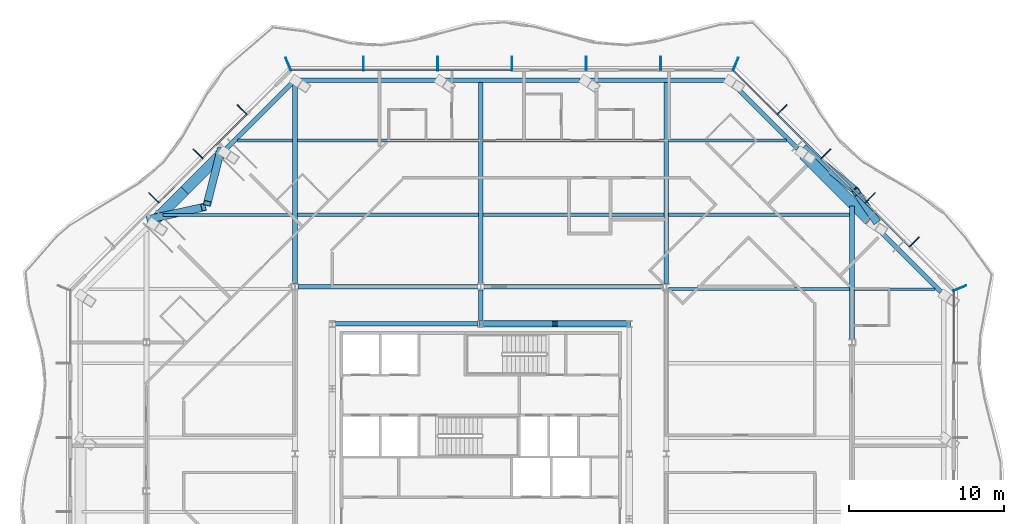
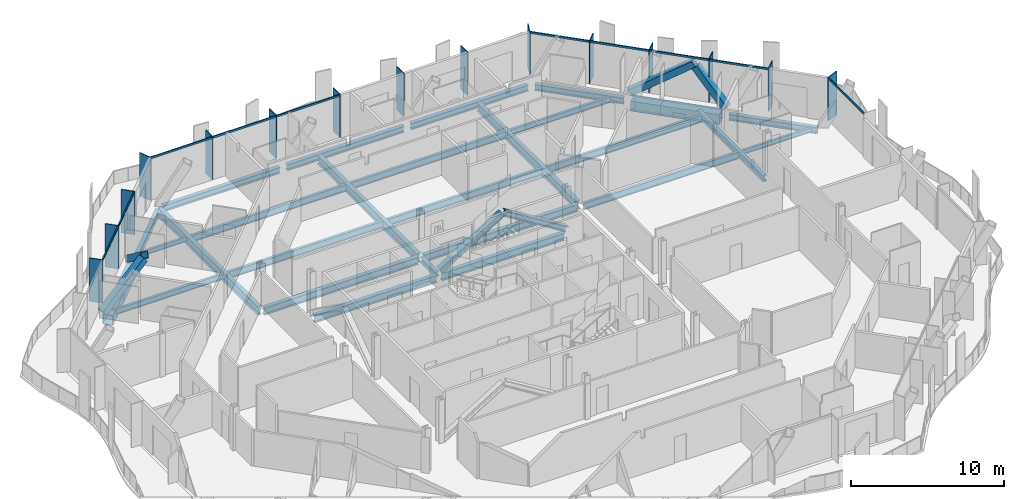
# One storey, part 5 of 21: 31 members, 29 beams, 4 elements without a shape of their own.
"""IFC4 building model written with IfcOpenShell, lengths in metres."""

from ifc_helpers import new_model, si_unit, direction, frame, origin, origin_2d, place, context, subcontext, project, spatial, rectangle, hollow_rectangle, i_section, extrude, material, material_profile, profile_set, type_object, element, aggregate, save


model = new_model("IFC4")

# Units and contexts
model_context = context("Model", 3, precision=1e-05, world=origin(), true_north=direction((0.0, 1.0)))
body_context = subcontext(model_context, "Body", "Model", "MODEL_VIEW")
ifc_project = project(units=[si_unit("LENGTHUNIT", "METRE"), si_unit("AREAUNIT", "SQUARE_METRE"), si_unit("VOLUMEUNIT", "CUBIC_METRE"), si_unit("PLANEANGLEUNIT", "RADIAN"), si_unit("MASSUNIT", "GRAM", prefix="KILO")], contexts=[model_context])

# Site, building, storey
site_placement = place(None, origin())
site = spatial("IfcSite", under=ifc_project, at=site_placement, CompositionType="ELEMENT")
building_placement = place(site_placement, origin())
building = spatial("IfcBuilding", under=site, at=building_placement, Name="Cairn Pilgrim Tower", CompositionType="ELEMENT")
storey_placement = place(building_placement, frame((0.0, 0.0, 183.0)))
storey = spatial("IfcBuildingStorey", under=building, at=storey_placement, Name="L46", CompositionType="ELEMENT", Elevation=183.0)

# Members
ifc_material_1 = material(Name="Structural steel S460M", Category="steel")
ifc_material_profile_1 = material_profile(ifc_material_1, hollow_rectangle(XDim=0.5, YDim=0.5, WallThickness=0.030029296875, at=origin_2d()), Name="BOX 500x500x30")
ifc_profile_set_1 = profile_set([ifc_material_profile_1], Name="Structural steel S460M")
member_type_1 = type_object("IfcMemberType", Name="BOX 500x500x30 BRACE", PredefinedType="BRACE", material=ifc_profile_set_1)
member_1_placement = place(storey_placement, frame((32.720947265625, 17.5087890625, 0.065185546875), z_axis=(-0.36251344112, 0.524386500655, 0.770456230385), x_axis=(-0.822576221586, -0.568654868687, 0.0)))
element("IfcMember", 1, at=member_1_placement, inside=storey, type_object=member_type_1, Name="XB-NE2-NE3-1", PredefinedType="BRACE", context=body_context, shape_type="SweptSolid", body=[
    extrude(hollow_rectangle(XDim=0.5, YDim=0.5, WallThickness=0.030029296875, at=origin_2d()), origin(), (0.0, 0.0, 1.0), 3.44482421875),
])
member_2_placement = place(storey_placement, frame((28.1416015625, 22.10595703125, 0.14990234375), z_axis=(0.645747598512, -0.530361724878, 0.549296349706), x_axis=(0.634686685606, 0.772769571809, 0.0)))
element("IfcMember", 2, at=member_2_placement, inside=storey, type_object=member_type_1, Name="XB-NE2-NE3-2", PredefinedType="BRACE", context=body_context, shape_type="SweptSolid", body=[
    extrude(hollow_rectangle(XDim=0.5, YDim=0.5, WallThickness=0.030029296875, at=origin_2d()), origin(), (0.0, 0.0, 1.0), 5.080078125),
])
member_3_placement = place(storey_placement, frame((-9.599853515625, 22.043701171875, 0.091552734375), z_axis=(-0.195352480849, -0.776251739915, 0.599391895595), x_axis=(0.969762252996, -0.244051577878, 0.0)))
element("IfcMember", 3, at=member_3_placement, inside=storey, type_object=member_type_1, Name="XB-NW2-NW3-1", PredefinedType="BRACE", context=body_context, shape_type="SweptSolid", body=[
    extrude(hollow_rectangle(XDim=0.5, YDim=0.5, WallThickness=0.030029296875, at=origin_2d()), origin(), (0.0, 0.0, 1.0), 4.448974609375),
])
member_4_placement = place(storey_placement, frame((-14.23095703125, 17.566650390625, 0.14990234375), z_axis=(0.790745265528, 0.174830423265, 0.586648317262), x_axis=(-0.215882190598, 0.976419417967, 0.0)))
element("IfcMember", 4, at=member_4_placement, inside=storey, type_object=member_type_1, Name="XB-NW2-NW3-2", PredefinedType="BRACE", context=body_context, shape_type="SweptSolid", body=[
    extrude(hollow_rectangle(XDim=0.5, YDim=0.5, WallThickness=0.030029296875, at=origin_2d()), origin(), (0.0, 0.0, 1.0), 4.4462890625),
])

# Beams
ifc_material_2 = material(Name="Structural steel S355J2", Category="steel")
ifc_material_profile_2 = material_profile(ifc_material_2, hollow_rectangle(XDim=0.699951171875, YDim=0.800048828125, WallThickness=0.0400390625, at=origin_2d()), Name="BOX 700x800x40")
ifc_profile_set_2 = profile_set([ifc_material_profile_2], Name="Structural steel S355J2")
beam_type_1 = type_object("IfcBeamType", Name="BOX 700x800x40 RING GIRDER", PredefinedType="SPANDREL", material=ifc_profile_set_2)
beam_1_placement = place(storey_placement, frame((32.309814453125, 17.492431640625, -0.550048828125), z_axis=(-0.707106781187, 0.707106781187, 0.0), x_axis=(-0.707106781187, -0.707106781187, 0.0)))
element("IfcBeam", 5, at=beam_1_placement, inside=storey, type_object=beam_type_1, Name="RG2-NE2-NE3-1", PredefinedType="SPANDREL", context=body_context, shape_type="SweptSolid", body=[
    extrude(hollow_rectangle(XDim=0.699951171875, YDim=0.800048828125, WallThickness=0.0400390625, at=origin_2d()), origin(), (0.0, 0.0, 1.0), 3.98046875),
])
beam_2_placement = place(storey_placement, frame((29.4951171875, 20.30712890625, -0.550048828125), z_axis=(-0.707106781187, 0.707106781187, 0.0), x_axis=(-0.707106781187, -0.707106781187, 0.0)))
element("IfcBeam", 6, at=beam_2_placement, inside=storey, type_object=beam_type_1, Name="RG2-NE2-NE3-2", PredefinedType="SPANDREL", context=body_context, shape_type="SweptSolid", body=[
    extrude(hollow_rectangle(XDim=0.699951171875, YDim=0.800048828125, WallThickness=0.0400390625, at=origin_2d()), origin(), (0.0, 0.0, 1.0), 2.01904296875),
])
beam_3_placement = place(storey_placement, frame((-9.617431640625, 21.73486328125, -0.550048828125), z_axis=(-0.707069392857, -0.707144167539, 0.0), x_axis=(0.707144167539, -0.707069392857, 0.0)))
element("IfcBeam", 7, at=beam_3_placement, inside=storey, type_object=beam_type_1, Name="RG2-NW2-NW3-1", PredefinedType="SPANDREL", context=body_context, shape_type="SweptSolid", body=[
    extrude(hollow_rectangle(XDim=0.699951171875, YDim=0.800048828125, WallThickness=0.0400390625, at=origin_2d()), origin(), (0.0, 0.0, 1.0), 3.26513671875),
])
beam_4_placement = place(storey_placement, frame((-11.926025390625, 19.426025390625, -0.550048828125), z_axis=(-0.707151417539, -0.707062142016, 0.0), x_axis=(0.707062142016, -0.707151417539, 0.0)))
element("IfcBeam", 8, at=beam_4_placement, inside=storey, type_object=beam_type_1, Name="RG2-NW2-NW3-2", PredefinedType="SPANDREL", context=body_context, shape_type="SweptSolid", body=[
    extrude(hollow_rectangle(XDim=0.699951171875, YDim=0.800048828125, WallThickness=0.0400390625, at=origin_2d()), origin(), (0.0, 0.0, 1.0), 2.734619140625),
])

# Curtain wall, members
ifc_material_3 = material(Name="Aluminium alloy 6063-T6 bronze anodised with Bronze tinted laminated low-E glass 8+16+8.8", Category="aluminium")
curtain_wall_type_1 = type_object("IfcCurtainWallType", Name="CHAMFER CORNER CURTAIN WALL", PredefinedType="NOTDEFINED", material=ifc_material_3)
curtain_wall_1_placement = place(storey_placement, origin())
curtain_wall_1 = element("IfcCurtainWall", 9, at=curtain_wall_1_placement, inside=storey, type_object=curtain_wall_type_1, Name="Chamfer Corner Curtain Wall NE", PredefinedType="NOTDEFINED")
ifc_material_4 = material(Name="Aluminium alloy 6063-T6 bronze anodised", Category="aluminium")
ifc_material_profile_3 = material_profile(ifc_material_4, rectangle(XDim=0.89990234375, YDim=0.06005859375, at=origin_2d()), Name="FIN MULLION 60x900 BRONZE")
ifc_profile_set_3 = profile_set([ifc_material_profile_3], Name="Aluminium alloy 6063-T6 bronze anodised")
member_type_2 = type_object("IfcMemberType", Name="FIN MULLION 60x900 BRONZE", PredefinedType="MULLION", material=ifc_profile_set_3)
member_5_placement = place(storey_placement, frame((38.1630859375, 13.107177734375, 0.0), z_axis=(0.0, 0.0, 1.0), x_axis=(0.923879532511, 0.382683432365, 0.0)))
member_5 = element("IfcMember", 10, at=member_5_placement, type_object=member_type_2, Name="Fin mullion NE1", PredefinedType="MULLION", context=body_context, shape_type="SweptSolid", body=[
    extrude(rectangle(XDim=0.89990234375, YDim=0.06005859375, at=origin_2d()), origin(), (0.0, 0.0, 1.0), 3.449951171875),
])
member_6_placement = place(storey_placement, frame((35.22119140625, 16.09423828125, 0.0), z_axis=(0.0, 0.0, 1.0), x_axis=(0.707106781187, 0.707106781187, 0.0)))
member_6 = element("IfcMember", 11, at=member_6_placement, type_object=member_type_2, Name="Fin mullion NE2", PredefinedType="MULLION", context=body_context, shape_type="SweptSolid", body=[
    extrude(rectangle(XDim=0.89990234375, YDim=0.06005859375, at=origin_2d()), origin(), (0.0, 0.0, 1.0), 3.449951171875),
])
member_7_placement = place(storey_placement, frame((32.37060546875, 18.94482421875, 0.0), z_axis=(0.0, 0.0, 1.0), x_axis=(0.707106781187, 0.707106781187, 0.0)))
member_7 = element("IfcMember", 12, at=member_7_placement, type_object=member_type_2, Name="Fin mullion NE3", PredefinedType="MULLION", context=body_context, shape_type="SweptSolid", body=[
    extrude(rectangle(XDim=0.89990234375, YDim=0.06005859375, at=origin_2d()), origin(), (0.0, 0.0, 1.0), 3.449951171875),
])
member_8_placement = place(storey_placement, frame((29.519775390625, 21.795654296875, 0.0), z_axis=(0.0, 0.0, 1.0), x_axis=(0.707106781187, 0.707106781187, 0.0)))
member_8 = element("IfcMember", 13, at=member_8_placement, type_object=member_type_2, Name="Fin mullion NE4", PredefinedType="MULLION", context=body_context, shape_type="SweptSolid", body=[
    extrude(rectangle(XDim=0.89990234375, YDim=0.06005859375, at=origin_2d()), origin(), (0.0, 0.0, 1.0), 3.449951171875),
])
member_9_placement = place(storey_placement, frame((26.669189453125, 24.646240234375, 0.0), z_axis=(0.0, 0.0, 1.0), x_axis=(0.707106781187, 0.707106781187, 0.0)))
member_9 = element("IfcMember", 14, at=member_9_placement, type_object=member_type_2, Name="Fin mullion NE5", PredefinedType="MULLION", context=body_context, shape_type="SweptSolid", body=[
    extrude(rectangle(XDim=0.89990234375, YDim=0.06005859375, at=origin_2d()), origin(), (0.0, 0.0, 1.0), 3.449951171875),
])

curtain_wall_type_2 = type_object("IfcCurtainWallType", Name="TOWER STICK CURTAIN WALL NS", PredefinedType="NOTDEFINED", material=ifc_material_3)
curtain_wall_2_placement = place(storey_placement, origin())
curtain_wall_2 = element("IfcCurtainWall", 15, at=curtain_wall_2_placement, inside=storey, type_object=curtain_wall_type_2, Name="Tower Stick Curtain Wall Ns N", PredefinedType="NOTDEFINED")
member_10_placement = place(storey_placement, frame((23.68212890625, 27.588134765625, 0.0), z_axis=(0.0, 0.0, 1.0), x_axis=(0.382683432365, 0.923879532511, 0.0)))
member_10 = element("IfcMember", 16, at=member_10_placement, type_object=member_type_2, Name="Fin mullion N1", PredefinedType="MULLION", context=body_context, shape_type="SweptSolid", body=[
    extrude(rectangle(XDim=0.89990234375, YDim=0.06005859375, at=origin_2d()), origin(), (0.0, 0.0, 1.0), 3.449951171875),
])
member_11_placement = place(storey_placement, frame((18.824951171875, 27.6201171875, 0.0), z_axis=(0.0, 0.0, 1.0), x_axis=(0.0, 1.0, 0.0)))
member_11 = element("IfcMember", 17, at=member_11_placement, type_object=member_type_2, Name="Fin mullion N2", PredefinedType="MULLION", context=body_context, shape_type="SweptSolid", body=[
    extrude(rectangle(XDim=0.89990234375, YDim=0.06005859375, at=origin_2d()), origin(), (0.0, 0.0, 1.0), 3.449951171875),
])
member_12_placement = place(storey_placement, frame((14.02490234375, 27.6201171875, 0.0), z_axis=(0.0, 0.0, 1.0), x_axis=(0.0, 1.0, 0.0)))
member_12 = element("IfcMember", 18, at=member_12_placement, type_object=member_type_2, Name="Fin mullion N3", PredefinedType="MULLION", context=body_context, shape_type="SweptSolid", body=[
    extrude(rectangle(XDim=0.89990234375, YDim=0.06005859375, at=origin_2d()), origin(), (0.0, 0.0, 1.0), 3.449951171875),
])
member_13_placement = place(storey_placement, frame((9.22509765625, 27.6201171875, 0.0), z_axis=(0.0, 0.0, 1.0), x_axis=(0.0, 1.0, 0.0)))
member_13 = element("IfcMember", 19, at=member_13_placement, type_object=member_type_2, Name="Fin mullion N4", PredefinedType="MULLION", context=body_context, shape_type="SweptSolid", body=[
    extrude(rectangle(XDim=0.89990234375, YDim=0.06005859375, at=origin_2d()), origin(), (0.0, 0.0, 1.0), 3.449951171875),
])
member_14_placement = place(storey_placement, frame((4.425048828125, 27.6201171875, 0.0), z_axis=(0.0, 0.0, 1.0), x_axis=(0.0, 1.0, 0.0)))
member_14 = element("IfcMember", 20, at=member_14_placement, type_object=member_type_2, Name="Fin mullion N5", PredefinedType="MULLION", context=body_context, shape_type="SweptSolid", body=[
    extrude(rectangle(XDim=0.89990234375, YDim=0.06005859375, at=origin_2d()), origin(), (0.0, 0.0, 1.0), 3.449951171875),
])
member_15_placement = place(storey_placement, frame((-0.375, 27.6201171875, 0.0), z_axis=(0.0, 0.0, 1.0), x_axis=(0.0, 1.0, 0.0)))
member_15 = element("IfcMember", 21, at=member_15_placement, type_object=member_type_2, Name="Fin mullion N6", PredefinedType="MULLION", context=body_context, shape_type="SweptSolid", body=[
    extrude(rectangle(XDim=0.89990234375, YDim=0.06005859375, at=origin_2d()), origin(), (0.0, 0.0, 1.0), 3.449951171875),
])

curtain_wall_3_placement = place(storey_placement, origin())
curtain_wall_3 = element("IfcCurtainWall", 22, at=curtain_wall_3_placement, inside=storey, type_object=curtain_wall_type_1, Name="Chamfer Corner Curtain Wall NW", PredefinedType="NOTDEFINED")
member_16_placement = place(storey_placement, frame((-5.232177734375, 27.588134765625, 0.0), z_axis=(0.0, 0.0, 1.0), x_axis=(-0.382683432365, 0.923879532511, 0.0)))
member_16 = element("IfcMember", 23, at=member_16_placement, type_object=member_type_2, Name="Fin mullion NW1", PredefinedType="MULLION", context=body_context, shape_type="SweptSolid", body=[
    extrude(rectangle(XDim=0.89990234375, YDim=0.06005859375, at=origin_2d()), origin(), (0.0, 0.0, 1.0), 3.449951171875),
])
member_17_placement = place(storey_placement, frame((-8.21923828125, 24.646240234375, 0.0), z_axis=(0.0, 0.0, 1.0), x_axis=(-0.707106781187, 0.707106781187, 0.0)))
member_17 = element("IfcMember", 24, at=member_17_placement, type_object=member_type_2, Name="Fin mullion NW2", PredefinedType="MULLION", context=body_context, shape_type="SweptSolid", body=[
    extrude(rectangle(XDim=0.89990234375, YDim=0.06005859375, at=origin_2d()), origin(), (0.0, 0.0, 1.0), 3.449951171875),
])
member_18_placement = place(storey_placement, frame((-11.06982421875, 21.795654296875, 0.0), z_axis=(0.0, 0.0, 1.0), x_axis=(-0.707106781187, 0.707106781187, 0.0)))
member_18 = element("IfcMember", 25, at=member_18_placement, type_object=member_type_2, Name="Fin mullion NW3", PredefinedType="MULLION", context=body_context, shape_type="SweptSolid", body=[
    extrude(rectangle(XDim=0.89990234375, YDim=0.06005859375, at=origin_2d()), origin(), (0.0, 0.0, 1.0), 3.449951171875),
])
member_19_placement = place(storey_placement, frame((-13.920654296875, 18.94482421875, 0.0), z_axis=(0.0, 0.0, 1.0), x_axis=(-0.707106781187, 0.707106781187, 0.0)))
member_19 = element("IfcMember", 26, at=member_19_placement, type_object=member_type_2, Name="Fin mullion NW4", PredefinedType="MULLION", context=body_context, shape_type="SweptSolid", body=[
    extrude(rectangle(XDim=0.89990234375, YDim=0.06005859375, at=origin_2d()), origin(), (0.0, 0.0, 1.0), 3.449951171875),
])

# Members
ifc_material_profile_4 = material_profile(ifc_material_1, i_section(OverallWidth=0.408935546875, OverallDepth=0.425048828125, WebThickness=0.03271484375, FlangeThickness=0.052490234375, FilletRadius=0.014892578125, at=origin_2d()), Name="HD 400x421")
ifc_profile_set_4 = profile_set([ifc_material_profile_4], Name="Structural steel S460M")
member_type_3 = type_object("IfcMemberType", Name="HD 400x421 BRACE", PredefinedType="BRACE", material=ifc_profile_set_4)
for number, where, z_axis, x_axis, name in (
    (27, (16.75830078125, 10.800048828125, 0.10009765625), (-0.851119565216, 0.0, 0.524971890397), (0.0, -1.0, 0.0), "KB-3A"),
    (28, (7.24169921875, 10.800048828125, 0.10009765625), (0.851119565216, 0.0, 0.524971890397), (0.0, 1.0, 0.0), "KB-3B"),
):
    element("IfcMember", number, at=place(storey_placement, frame(where, z_axis=z_axis, x_axis=x_axis)), inside=storey, type_object=member_type_3, Name=name, PredefinedType="BRACE", context=body_context, shape_type="SweptSolid", body=[
        extrude(i_section(OverallWidth=0.408935546875, OverallDepth=0.425048828125, WebThickness=0.03271484375, FlangeThickness=0.052490234375, FilletRadius=0.014892578125, at=origin_2d()), origin(), (0.0, 0.0, 1.0), 5.528076171875),
    ])

# Beams
ifc_material_profile_5 = material_profile(ifc_material_2, i_section(OverallWidth=0.300048828125, OverallDepth=0.39990234375, WebThickness=0.013427734375, FlangeThickness=0.02392578125, FilletRadius=0.027099609375, at=origin_2d()), Name="HEB 400")
ifc_profile_set_5 = profile_set([ifc_material_profile_5], Name="Structural steel S355J2")
beam_type_2 = type_object("IfcBeamType", Name="HEB 400 GIRDER", PredefinedType="BEAM", material=ifc_profile_set_5)
beam_5_placement = place(storey_placement, frame((7.199951171875, 11.008056640625, -0.35009765625), z_axis=(0.0, 1.0, 0.0), x_axis=(-1.0, 0.0, 0.0)))
element("IfcBeam", 29, at=beam_5_placement, inside=storey, type_object=beam_type_2, Name="PG3-E2", PredefinedType="BEAM", context=body_context, shape_type="SweptSolid", body=[
    extrude(i_section(OverallWidth=0.300048828125, OverallDepth=0.39990234375, WebThickness=0.013427734375, FlangeThickness=0.02392578125, FilletRadius=0.027099609375, at=origin_2d()), origin(), (0.0, 0.0, 1.0), 1.992431640625),
])
ifc_material_profile_6 = material_profile(ifc_material_2, i_section(OverallWidth=0.300048828125, OverallDepth=0.5, WebThickness=0.014404296875, FlangeThickness=0.028076171875, FilletRadius=0.027099609375, at=origin_2d()), Name="HEB 500")
ifc_profile_set_6 = profile_set([ifc_material_profile_6], Name="Structural steel S355J2")
beam_type_3 = type_object("IfcBeamType", Name="HEB 500 GIRDER", PredefinedType="BEAM", material=ifc_profile_set_6)
beam_6_placement = place(storey_placement, frame((31.199951171875, 9.804443359375, -0.39990234375), z_axis=(0.0, 1.0, 0.0), x_axis=(-1.0, 0.0, 0.0)))
element("IfcBeam", 30, at=beam_6_placement, inside=storey, type_object=beam_type_3, Name="PG5-3", PredefinedType="BEAM", context=body_context, shape_type="SweptSolid", body=[
    extrude(i_section(OverallWidth=0.300048828125, OverallDepth=0.5, WebThickness=0.014404296875, FlangeThickness=0.028076171875, FilletRadius=0.027099609375, at=origin_2d()), origin(), (0.0, 0.0, 1.0), 8.61572265625),
])
ifc_material_profile_7 = material_profile(ifc_material_2, i_section(OverallWidth=0.300048828125, OverallDepth=0.5, WebThickness=0.014404296875, FlangeThickness=0.028076171875, FilletRadius=0.027099609375, at=origin_2d()), Name="HEB 500")
ifc_profile_set_7 = profile_set([ifc_material_profile_7], Name="Structural steel S355J2")
beam_type_4 = type_object("IfcBeamType", Name="HEB 500 RING GIRDER", PredefinedType="SPANDREL", material=ifc_profile_set_7)
for number, where, z_axis, x_axis, name in (
    (31, (36.93408203125, 12.8681640625, -0.39990234375), (-0.707106781187, 0.707106781187, 0.0), (-0.707106781187, -0.707106781187, 0.0), "RG2-NE1-NE2"),
    (32, (27.685546875, 22.11669921875, -0.39990234375), (-0.707106781187, 0.707106781187, 0.0), (-0.707106781187, -0.707106781187, 0.0), "RG2-NE3-N1"),
):
    element("IfcBeam", number, at=place(storey_placement, frame(where, z_axis=z_axis, x_axis=x_axis)), inside=storey, type_object=beam_type_4, Name=name, PredefinedType="SPANDREL", context=body_context, shape_type="SweptSolid", body=[
        extrude(i_section(OverallWidth=0.300048828125, OverallDepth=0.5, WebThickness=0.014404296875, FlangeThickness=0.028076171875, FilletRadius=0.027099609375, at=origin_2d()), origin(), (0.0, 0.0, 1.0), 5.999755859375),
    ])
beam_7_placement = place(storey_placement, frame((22.982177734375, 26.550048828125, -0.39990234375), z_axis=(-1.0, 0.0, 0.0), x_axis=(0.0, -1.0, 0.0)))
element("IfcBeam", 33, at=beam_7_placement, inside=storey, type_object=beam_type_4, Name="RG2-N1-N2", PredefinedType="SPANDREL", context=body_context, shape_type="SweptSolid", body=[
    extrude(i_section(OverallWidth=0.300048828125, OverallDepth=0.5, WebThickness=0.014404296875, FlangeThickness=0.028076171875, FilletRadius=0.027099609375, at=origin_2d()), origin(), (0.0, 0.0, 1.0), 8.8115234375),
])
beam_8_placement = place(storey_placement, frame((13.630615234375, 26.550048828125, -0.39990234375), z_axis=(-1.0, 0.0, 0.0), x_axis=(0.0, -1.0, 0.0)))
element("IfcBeam", 34, at=beam_8_placement, inside=storey, type_object=beam_type_4, Name="RG2-N2-N3", PredefinedType="SPANDREL", context=body_context, shape_type="SweptSolid", body=[
    extrude(i_section(OverallWidth=0.300048828125, OverallDepth=0.5, WebThickness=0.014404296875, FlangeThickness=0.028076171875, FilletRadius=0.027099609375, at=origin_2d()), origin(), (0.0, 0.0, 1.0), 8.811279296875),
])
beam_9_placement = place(storey_placement, frame((4.279296875, 26.550048828125, -0.39990234375), z_axis=(-1.0, 0.0, 0.0), x_axis=(0.0, -1.0, 0.0)))
element("IfcBeam", 35, at=beam_9_placement, inside=storey, type_object=beam_type_4, Name="RG2-N3-NW1", PredefinedType="SPANDREL", context=body_context, shape_type="SweptSolid", body=[
    extrude(i_section(OverallWidth=0.300048828125, OverallDepth=0.5, WebThickness=0.014404296875, FlangeThickness=0.028076171875, FilletRadius=0.027099609375, at=origin_2d()), origin(), (0.0, 0.0, 1.0), 8.8115234375),
])
beam_10_placement = place(storey_placement, frame((-4.9931640625, 26.359130859375, -0.39990234375), z_axis=(-0.707106781187, -0.707106781187, 0.0), x_axis=(0.707106781187, -0.707106781187, 0.0)))
element("IfcBeam", 36, at=beam_10_placement, inside=storey, type_object=beam_type_4, Name="RG2-NW1-NW2", PredefinedType="SPANDREL", context=body_context, shape_type="SweptSolid", body=[
    extrude(i_section(OverallWidth=0.300048828125, OverallDepth=0.5, WebThickness=0.014404296875, FlangeThickness=0.028076171875, FilletRadius=0.027099609375, at=origin_2d()), origin(), (0.0, 0.0, 1.0), 5.999755859375),
])
ifc_material_profile_8 = material_profile(ifc_material_2, i_section(OverallWidth=0.300048828125, OverallDepth=0.60009765625, WebThickness=0.015380859375, FlangeThickness=0.030029296875, FilletRadius=0.027099609375, at=origin_2d()), Name="HEB 600")
ifc_profile_set_8 = profile_set([ifc_material_profile_8], Name="Structural steel S355J2")
beam_type_5 = type_object("IfcBeamType", Name="HEB 600 CORE BEAM", PredefinedType="BEAM", material=ifc_profile_set_8)
for number, where, z_axis, x_axis, name in (
    (37, (16.61279296875, 10.800048828125, -0.449951171875), (-1.0, 0.0, 0.0), (0.0, -1.0, 0.0), "CB-5"),
    (38, (7.0126953125, 10.800048828125, -0.449951171875), (-1.0, 0.0, 0.0), (0.0, -1.0, 0.0), "CB-6"),
):
    element("IfcBeam", number, at=place(storey_placement, frame(where, z_axis=z_axis, x_axis=x_axis)), inside=storey, type_object=beam_type_5, Name=name, PredefinedType="BEAM", context=body_context, shape_type="SweptSolid", body=[
        extrude(i_section(OverallWidth=0.300048828125, OverallDepth=0.60009765625, WebThickness=0.015380859375, FlangeThickness=0.030029296875, FilletRadius=0.027099609375, at=origin_2d()), origin(), (0.0, 0.0, 1.0), 9.2255859375),
    ])
ifc_material_profile_9 = material_profile(ifc_material_2, i_section(OverallWidth=0.300048828125, OverallDepth=0.60009765625, WebThickness=0.015380859375, FlangeThickness=0.030029296875, FilletRadius=0.027099609375, at=origin_2d()), Name="HEB 600")
ifc_profile_set_9 = profile_set([ifc_material_profile_9], Name="Structural steel S355J2")
beam_type_6 = type_object("IfcBeamType", Name="HEB 600 INNER GIRDER", PredefinedType="BEAM", material=ifc_profile_set_9)
for number, where, z_axis, x_axis, name in (
    (39, (-4.6005859375, 13.199951171875, -0.449951171875), (1.0, 0.0, 0.0), (0.0, 1.0, 0.0), "IG2-1"),
    (40, (7.3994140625, 13.199951171875, -0.449951171875), (1.0, 0.0, 0.0), (0.0, 1.0, 0.0), "IG2-2"),
):
    element("IfcBeam", number, at=place(storey_placement, frame(where, z_axis=z_axis, x_axis=x_axis)), inside=storey, type_object=beam_type_6, Name=name, PredefinedType="BEAM", context=body_context, shape_type="SweptSolid", body=[
        extrude(i_section(OverallWidth=0.300048828125, OverallDepth=0.60009765625, WebThickness=0.015380859375, FlangeThickness=0.030029296875, FilletRadius=0.027099609375, at=origin_2d()), origin(), (0.0, 0.0, 1.0), 11.60107421875),
    ])
ifc_material_profile_10 = material_profile(ifc_material_2, i_section(OverallWidth=0.300048828125, OverallDepth=0.699951171875, WebThickness=0.01708984375, FlangeThickness=0.031982421875, FilletRadius=0.027099609375, at=origin_2d()), Name="HEB 700")
ifc_profile_set_10 = profile_set([ifc_material_profile_10], Name="Structural steel S355J2")
beam_type_7 = type_object("IfcBeamType", Name="HEB 700 GIRDER", PredefinedType="BEAM", material=ifc_profile_set_10)
for number, where, z_axis, x_axis, name in (
    (41, (-4.800048828125, 13.3994140625, -0.5), (0.0, 1.0, 0.0), (-1.0, 0.0, 0.0), "PG2-4"),
    (42, (7.199951171875, 13.3994140625, -0.5), (0.0, 1.0, 0.0), (-1.0, 0.0, 0.0), "PG3-2"),
    (43, (19.199951171875, 13.3994140625, -0.5), (0.0, 1.0, 0.0), (-1.0, 0.0, 0.0), "PG4-4"),
):
    element("IfcBeam", number, at=place(storey_placement, frame(where, z_axis=z_axis, x_axis=x_axis)), inside=storey, type_object=beam_type_7, Name=name, PredefinedType="BEAM", context=body_context, shape_type="SweptSolid", body=[
        extrude(i_section(OverallWidth=0.300048828125, OverallDepth=0.699951171875, WebThickness=0.01708984375, FlangeThickness=0.031982421875, FilletRadius=0.027099609375, at=origin_2d()), origin(), (0.0, 0.0, 1.0), 13.030517578125),
    ])
ifc_material_profile_11 = material_profile(ifc_material_2, i_section(OverallWidth=0.169921875, OverallDepth=0.360107421875, WebThickness=0.008056640625, FlangeThickness=0.0126953125, FilletRadius=0.01806640625, at=origin_2d()), Name="IPE 360")
ifc_profile_set_11 = profile_set([ifc_material_profile_11], Name="Structural steel S355J2")
beam_type_8 = type_object("IfcBeamType", Name="IPE 360 SECONDARY BEAM", PredefinedType="JOIST", material=ifc_profile_set_11)
beam_11_placement = place(storey_placement, frame((31.35009765625, 13.050048828125, -0.330078125), z_axis=(1.0, 0.0, 0.0), x_axis=(0.0, 1.0, 0.0)))
element("IfcBeam", 44, at=beam_11_placement, inside=storey, type_object=beam_type_8, Name="SB7-4", PredefinedType="JOIST", context=body_context, shape_type="SweptSolid", body=[
    extrude(i_section(OverallWidth=0.169921875, OverallDepth=0.360107421875, WebThickness=0.008056640625, FlangeThickness=0.0126953125, FilletRadius=0.01806640625, at=origin_2d()), origin(), (0.0, 0.0, 1.0), 5.219970703125),
])
beam_12_placement = place(storey_placement, frame((-8.52001953125, 22.64990234375, -0.330078125), z_axis=(1.0, 0.0, 0.0), x_axis=(0.0, 1.0, 0.0)))
element("IfcBeam", 45, at=beam_12_placement, inside=storey, type_object=beam_type_8, Name="SB9-1", PredefinedType="JOIST", context=body_context, shape_type="SweptSolid", body=[
    extrude(i_section(OverallWidth=0.169921875, OverallDepth=0.360107421875, WebThickness=0.008056640625, FlangeThickness=0.0126953125, FilletRadius=0.01806640625, at=origin_2d()), origin(), (0.0, 0.0, 1.0), 3.570068359375),
])
ifc_material_profile_12 = material_profile(ifc_material_2, i_section(OverallWidth=0.18994140625, OverallDepth=0.449951171875, WebThickness=0.009521484375, FlangeThickness=0.0146484375, FilletRadius=0.02099609375, at=origin_2d()), Name="IPE 450")
ifc_profile_set_12 = profile_set([ifc_material_profile_12], Name="Structural steel S355J2")
beam_type_9 = type_object("IfcBeamType", Name="IPE 450 SECONDARY BEAM", PredefinedType="JOIST", material=ifc_profile_set_12)
beam_13_placement = place(storey_placement, frame((-13.320068359375, 17.85009765625, -0.375), z_axis=(1.0, 0.0, 0.0), x_axis=(0.0, 1.0, 0.0)))
element("IfcBeam", 46, at=beam_13_placement, inside=storey, type_object=beam_type_9, Name="SB8-1", PredefinedType="JOIST", context=body_context, shape_type="SweptSolid", body=[
    extrude(i_section(OverallWidth=0.18994140625, OverallDepth=0.449951171875, WebThickness=0.009521484375, FlangeThickness=0.0146484375, FilletRadius=0.02099609375, at=origin_2d()), origin(), (0.0, 0.0, 1.0), 8.3701171875),
])
beam_14_placement = place(storey_placement, frame((19.35009765625, 22.64990234375, -0.375), z_axis=(1.0, 0.0, 0.0), x_axis=(0.0, 1.0, 0.0)))
element("IfcBeam", 47, at=beam_14_placement, inside=storey, type_object=beam_type_9, Name="SB9-4", PredefinedType="JOIST", context=body_context, shape_type="SweptSolid", body=[
    extrude(i_section(OverallWidth=0.18994140625, OverallDepth=0.449951171875, WebThickness=0.009521484375, FlangeThickness=0.0146484375, FilletRadius=0.02099609375, at=origin_2d()), origin(), (0.0, 0.0, 1.0), 7.6201171875),
])
ifc_material_profile_13 = material_profile(ifc_material_2, i_section(OverallWidth=0.2099609375, OverallDepth=0.550048828125, WebThickness=0.010986328125, FlangeThickness=0.01708984375, FilletRadius=0.02392578125, at=origin_2d()), Name="IPE 550")
ifc_profile_set_13 = profile_set([ifc_material_profile_13], Name="Structural steel S355J2")
beam_type_10 = type_object("IfcBeamType", Name="IPE 550 SECONDARY BEAM", PredefinedType="JOIST", material=ifc_profile_set_13)
for number, where, z_axis, x_axis, name in (
    (48, (19.35009765625, 13.050048828125, -0.425048828125), (1.0, 0.0, 0.0), (0.0, 1.0, 0.0), "SB7-3"),
    (49, (-4.64990234375, 17.85009765625, -0.425048828125), (1.0, 0.0, 0.0), (0.0, 1.0, 0.0), "SB8-2"),
    (50, (7.35009765625, 17.85009765625, -0.425048828125), (1.0, 0.0, 0.0), (0.0, 1.0, 0.0), "SB8-3"),
    (51, (19.35009765625, 17.85009765625, -0.425048828125), (1.0, 0.0, 0.0), (0.0, 1.0, 0.0), "SB8-4"),
    (52, (-4.64990234375, 22.64990234375, -0.425048828125), (1.0, 0.0, 0.0), (0.0, 1.0, 0.0), "SB9-2"),
    (53, (7.35009765625, 22.64990234375, -0.425048828125), (1.0, 0.0, 0.0), (0.0, 1.0, 0.0), "SB9-3"),
):
    element("IfcBeam", number, at=place(storey_placement, frame(where, z_axis=z_axis, x_axis=x_axis)), inside=storey, type_object=beam_type_10, Name=name, PredefinedType="JOIST", context=body_context, shape_type="SweptSolid", body=[
        extrude(i_section(OverallWidth=0.2099609375, OverallDepth=0.550048828125, WebThickness=0.010986328125, FlangeThickness=0.01708984375, FilletRadius=0.02392578125, at=origin_2d()), origin(), (0.0, 0.0, 1.0), 11.699951171875),
    ])

# Curtain wall, member
curtain_wall_type_3 = type_object("IfcCurtainWallType", Name="TOWER STICK CURTAIN WALL EW", PredefinedType="NOTDEFINED", material=ifc_material_3)
curtain_wall_4_placement = place(storey_placement, origin())
curtain_wall_4 = element("IfcCurtainWall", 54, at=curtain_wall_4_placement, inside=storey, type_object=curtain_wall_type_3, Name="Tower Stick Curtain Wall Ew E", PredefinedType="NOTDEFINED")
ifc_material_profile_14 = material_profile(ifc_material_4, rectangle(XDim=0.080078125, YDim=0.14990234375, at=origin_2d()), Name="TRANSOM 80x150 BRONZE")
ifc_profile_set_14 = profile_set([ifc_material_profile_14], Name="Aluminium alloy 6063-T6 bronze anodised")
member_type_4 = type_object("IfcMemberType", Name="TRANSOM 80x150 BRONZE", PredefinedType="USERDEFINED", material=ifc_profile_set_14)
member_20_placement = place(storey_placement, frame((37.77490234375, 8.280029296875, 3.375), z_axis=(0.0, 1.0, 0.0), x_axis=(-1.0, 0.0, 0.0)))
member_20 = element("IfcMember", 55, at=member_20_placement, type_object=member_type_4, Name="Transom E4", ObjectType="TRANSOM", PredefinedType="USERDEFINED", context=body_context, shape_type="SweptSolid", body=[
    extrude(rectangle(XDim=0.080078125, YDim=0.14990234375, at=origin_2d()), origin(), (0.0, 0.0, 1.0), 4.62646484375),
])
aggregate(curtain_wall_4, [member_20])

# Member
member_21_placement = place(storey_placement, frame((34.903076171875, 15.818359375, 3.375), z_axis=(-0.707106781187, 0.707106781187, 0.0), x_axis=(-0.707106781187, -0.707106781187, 0.0)))
member_21 = element("IfcMember", 56, at=member_21_placement, type_object=member_type_4, Name="Transom NE2", ObjectType="TRANSOM", PredefinedType="USERDEFINED", context=body_context, shape_type="SweptSolid", body=[
    extrude(rectangle(XDim=0.080078125, YDim=0.14990234375, at=origin_2d()), origin(), (0.0, 0.0, 1.0), 3.9716796875),
])

member_22_placement = place(storey_placement, frame((32.05224609375, 18.669189453125, 3.375), z_axis=(-0.707106781187, 0.707106781187, 0.0), x_axis=(-0.707106781187, -0.707106781187, 0.0)))
member_22 = element("IfcMember", 57, at=member_22_placement, type_object=member_type_4, Name="Transom NE3", ObjectType="TRANSOM", PredefinedType="USERDEFINED", context=body_context, shape_type="SweptSolid", body=[
    extrude(rectangle(XDim=0.080078125, YDim=0.14990234375, at=origin_2d()), origin(), (0.0, 0.0, 1.0), 3.97119140625),
])

member_23_placement = place(storey_placement, frame((29.20166015625, 21.519775390625, 3.375), z_axis=(-0.707106781187, 0.707106781187, 0.0), x_axis=(-0.707106781187, -0.707106781187, 0.0)))
member_23 = element("IfcMember", 58, at=member_23_placement, type_object=member_type_4, Name="Transom NE4", ObjectType="TRANSOM", PredefinedType="USERDEFINED", context=body_context, shape_type="SweptSolid", body=[
    extrude(rectangle(XDim=0.080078125, YDim=0.14990234375, at=origin_2d()), origin(), (0.0, 0.0, 1.0), 3.9716796875),
])

member_24_placement = place(storey_placement, frame((26.350830078125, 24.37060546875, 3.375), z_axis=(-0.707106781187, 0.707106781187, 0.0), x_axis=(-0.707106781187, -0.707106781187, 0.0)))
member_24 = element("IfcMember", 59, at=member_24_placement, type_object=member_type_4, Name="Transom NE5", ObjectType="TRANSOM", PredefinedType="USERDEFINED", context=body_context, shape_type="SweptSolid", body=[
    extrude(rectangle(XDim=0.080078125, YDim=0.14990234375, at=origin_2d()), origin(), (0.0, 0.0, 1.0), 3.961181640625),
])

aggregate(curtain_wall_1, [member_5, member_6, member_7, member_8, member_9, member_21, member_22, member_23, member_24])

member_25_placement = place(storey_placement, frame((9.195068359375, 27.199951171875, 3.375), z_axis=(-1.0, 0.0, 0.0), x_axis=(0.0, -1.0, 0.0)))
member_25 = element("IfcMember", 60, at=member_25_placement, type_object=member_type_4, Name="Transom N4", ObjectType="TRANSOM", PredefinedType="USERDEFINED", context=body_context, shape_type="SweptSolid", body=[
    extrude(rectangle(XDim=0.080078125, YDim=0.14990234375, at=origin_2d()), origin(), (0.0, 0.0, 1.0), 4.739990234375),
])

member_26_placement = place(storey_placement, frame((4.39501953125, 27.199951171875, 3.375), z_axis=(-1.0, 0.0, 0.0), x_axis=(0.0, -1.0, 0.0)))
member_26 = element("IfcMember", 61, at=member_26_placement, type_object=member_type_4, Name="Transom N5", ObjectType="TRANSOM", PredefinedType="USERDEFINED", context=body_context, shape_type="SweptSolid", body=[
    extrude(rectangle(XDim=0.080078125, YDim=0.14990234375, at=origin_2d()), origin(), (0.0, 0.0, 1.0), 4.739990234375),
])

member_27_placement = place(storey_placement, frame((-0.405029296875, 27.199951171875, 3.375), z_axis=(-1.0, 0.0, 0.0), x_axis=(0.0, -1.0, 0.0)))
member_27 = element("IfcMember", 62, at=member_27_placement, type_object=member_type_4, Name="Transom N6", ObjectType="TRANSOM", PredefinedType="USERDEFINED", context=body_context, shape_type="SweptSolid", body=[
    extrude(rectangle(XDim=0.080078125, YDim=0.14990234375, at=origin_2d()), origin(), (0.0, 0.0, 1.0), 4.62646484375),
])

aggregate(curtain_wall_2, [member_10, member_11, member_12, member_13, member_14, member_15, member_25, member_26, member_27])

member_28_placement = place(storey_placement, frame((-7.943359375, 24.328125, 3.375), z_axis=(-0.707106781187, -0.707106781187, 0.0), x_axis=(0.707106781187, -0.707106781187, 0.0)))
member_28 = element("IfcMember", 63, at=member_28_placement, type_object=member_type_4, Name="Transom NW2", ObjectType="TRANSOM", PredefinedType="USERDEFINED", context=body_context, shape_type="SweptSolid", body=[
    extrude(rectangle(XDim=0.080078125, YDim=0.14990234375, at=origin_2d()), origin(), (0.0, 0.0, 1.0), 3.9716796875),
])

member_29_placement = place(storey_placement, frame((-10.794189453125, 21.477294921875, 3.375), z_axis=(-0.707106781187, -0.707106781187, 0.0), x_axis=(0.707106781187, -0.707106781187, 0.0)))
member_29 = element("IfcMember", 64, at=member_29_placement, type_object=member_type_4, Name="Transom NW3", ObjectType="TRANSOM", PredefinedType="USERDEFINED", context=body_context, shape_type="SweptSolid", body=[
    extrude(rectangle(XDim=0.080078125, YDim=0.14990234375, at=origin_2d()), origin(), (0.0, 0.0, 1.0), 3.97119140625),
])

aggregate(curtain_wall_3, [member_16, member_17, member_18, member_19, member_28, member_29])

save(model, "model.ifc")
